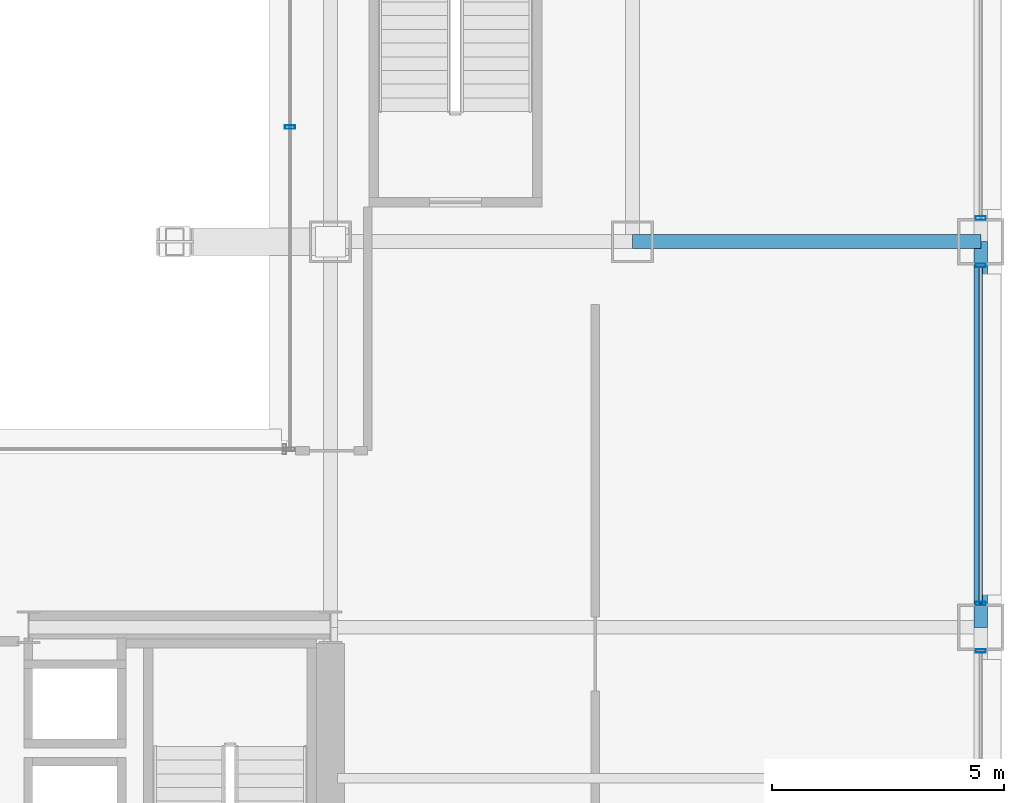
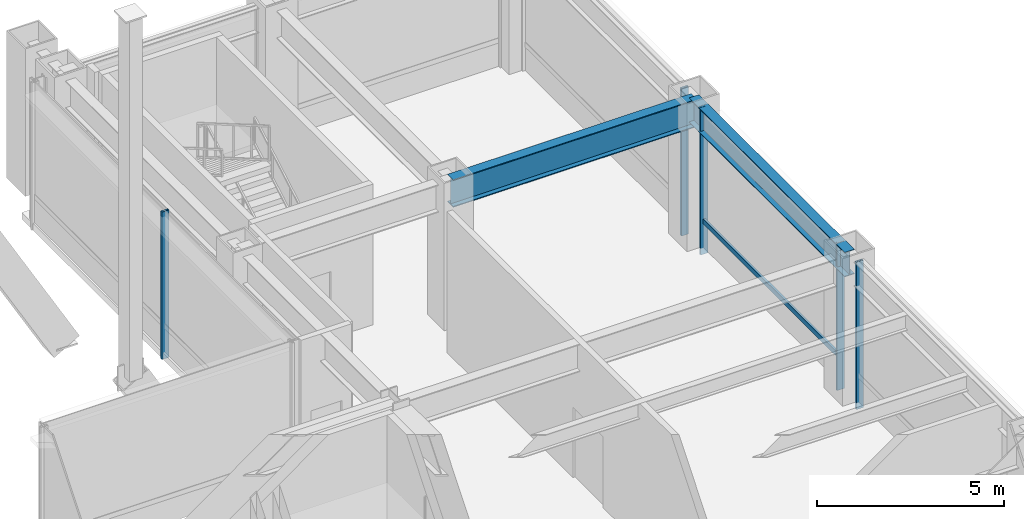
# One storey, part 23 of 40: 6 members, 2 beams, 4 elements without a shape of their own.
"""IFC4 building model written with IfcOpenShell, lengths in metres."""

from ifc_helpers import new_model, si_unit, direction, frame, origin, origin_2d, place, context, subcontext, project, spatial, hollow_rectangle, i_section, extrude, material, layer, layer_set, material_profile, profile_set, type_object, element, aggregate, save


model = new_model("IFC4")

# Units and contexts
model_context = context("Model", 3, precision=1e-05, world=origin(), true_north=direction((0.0, 1.0)))
body_context = subcontext(model_context, "Body", "Model", "MODEL_VIEW")
ifc_project = project(units=[si_unit("LENGTHUNIT", "METRE"), si_unit("AREAUNIT", "SQUARE_METRE"), si_unit("VOLUMEUNIT", "CUBIC_METRE"), si_unit("PLANEANGLEUNIT", "RADIAN"), si_unit("MASSUNIT", "GRAM", prefix="KILO")], contexts=[model_context])

# Site, building, storey
site_placement = place(None, origin())
site = spatial("IfcSite", under=ifc_project, at=site_placement, CompositionType="ELEMENT")
building_placement = place(site_placement, origin())
building = spatial("IfcBuilding", under=site, at=building_placement, Name="Brelmoor Portico Tower", CompositionType="ELEMENT")
storey_placement = place(building_placement, frame((0.0, 0.0, 4.800048828125)))
storey = spatial("IfcBuildingStorey", under=building, at=storey_placement, Name="L01", CompositionType="ELEMENT", Elevation=4.800048828125)

# Beams
ifc_material_1 = material(Name="Steel Q355B", Category="steel")
ifc_material_profile_1 = material_profile(ifc_material_1, i_section(OverallWidth=0.300048828125, OverallDepth=0.89990234375, WebThickness=0.01611328125, FlangeThickness=0.028076171875, at=origin_2d()), Name="HN 900x300x16x28")
ifc_profile_set_1 = profile_set([ifc_material_profile_1], Name="Steel Q355B")
beam_type_1 = type_object("IfcBeamType", Name="BM-PG-900", PredefinedType="BEAM", material=ifc_profile_set_1)
beam_1_placement = place(storey_placement, frame((21.050048828125, 18.050048828125, 4.1298828125), z_axis=(1.0, 0.0, 0.0), x_axis=(0.0, 1.0, 0.0)))
element("IfcBeam", 1, at=beam_1_placement, inside=storey, type_object=beam_type_1, Name="L01 Primary Floor Girder PG-40", PredefinedType="BEAM", context=body_context, shape_type="SweptSolid", body=[
    extrude(i_section(OverallWidth=0.300048828125, OverallDepth=0.89990234375, WebThickness=0.01611328125, FlangeThickness=0.028076171875, at=origin_2d()), origin(), (0.0, 0.0, 1.0), 7.5),
])
ifc_material_profile_2 = material_profile(ifc_material_1, i_section(OverallWidth=0.300048828125, OverallDepth=0.800048828125, WebThickness=0.013916015625, FlangeThickness=0.02587890625, at=origin_2d()), Name="HN 800x300x14x26")
ifc_profile_set_2 = profile_set([ifc_material_profile_2], Name="Steel Q355B")
beam_type_2 = type_object("IfcBeamType", Name="BM-SP-800", PredefinedType="SPANDREL", material=ifc_profile_set_2)
beam_2_placement = place(storey_placement, frame((28.550048828125, 9.75, 4.179931640625), z_axis=(0.0, 1.0, 0.0), x_axis=(-1.0, 0.0, 0.0)))
element("IfcBeam", 2, at=beam_2_placement, inside=storey, type_object=beam_type_2, Name="L01 Perimeter Spandrel Beam SP-19", PredefinedType="SPANDREL", context=body_context, shape_type="SweptSolid", body=[
    extrude(i_section(OverallWidth=0.300048828125, OverallDepth=0.800048828125, WebThickness=0.013916015625, FlangeThickness=0.02587890625, at=origin_2d()), origin(), (0.0, 0.0, 1.0), 8.300048828125),
])

# Curtain wall, member
ifc_material_2 = material(Name="Anodised Aluminium Alloy 6063-T6", Category="aluminium")
ifc_layer = layer(ifc_material_2, 0.179931640625)
ifc_layer_set = layer_set([ifc_layer], Name="Anodised Aluminium Alloy 6063-T6")
curtain_wall_type = type_object("IfcCurtainWallType", Name="CW-PODIUM-ARCH", PredefinedType="NOTDEFINED", material=ifc_layer_set)
curtain_wall_1_placement = place(storey_placement, origin())
curtain_wall_1 = element("IfcCurtainWall", 3, at=curtain_wall_1_placement, inside=storey, type_object=curtain_wall_type, Name="L01 Curtain Wall CW-L01-06-4", PredefinedType="NOTDEFINED")
ifc_material_profile_3 = material_profile(ifc_material_2, hollow_rectangle(XDim=0.074951171875, YDim=0.219970703125, WallThickness=0.0048828125, at=origin_2d()), Name="ALU MULLION 75x220")
ifc_profile_set_3 = profile_set([ifc_material_profile_3], Name="Anodised Aluminium Alloy 6063-T6")
member_type_1 = type_object("IfcMemberType", Name="MB-CW-MULL-220", PredefinedType="MULLION", material=ifc_profile_set_3)
member_1_placement = place(storey_placement, frame((28.550048828125, 9.239990234375, -0.219970703125), z_axis=(0.0, 0.0, 1.0), x_axis=(0.0, 1.0, 0.0)))
member_1 = element("IfcMember", 4, at=member_1_placement, type_object=member_type_1, Name="CW-L01-06-4 Mullion 01", PredefinedType="MULLION", context=body_context, shape_type="SweptSolid", body=[
    extrude(hollow_rectangle(XDim=0.074951171875, YDim=0.219970703125, WallThickness=0.0048828125, at=origin_2d()), origin(), (0.0, 0.0, 1.0), 4.7998046875),
])
aggregate(curtain_wall_1, [member_1])

# Curtain wall, members
curtain_wall_2_placement = place(storey_placement, origin())
curtain_wall_2 = element("IfcCurtainWall", 5, at=curtain_wall_2_placement, inside=storey, type_object=curtain_wall_type, Name="L01 Curtain Wall CW-L01-06-5", PredefinedType="NOTDEFINED")
member_2_placement = place(storey_placement, frame((28.550048828125, 10.260009765625, -0.219970703125), z_axis=(0.0, 0.0, 1.0), x_axis=(0.0, 1.0, 0.0)))
member_2 = element("IfcMember", 6, at=member_2_placement, type_object=member_type_1, Name="CW-L01-06-5 Mullion 00", PredefinedType="MULLION", context=body_context, shape_type="SweptSolid", body=[
    extrude(hollow_rectangle(XDim=0.074951171875, YDim=0.219970703125, WallThickness=0.0048828125, at=origin_2d()), origin(), (0.0, 0.0, 1.0), 4.7998046875),
])
member_3_placement = place(storey_placement, frame((28.550048828125, 17.5400390625, -0.219970703125), z_axis=(0.0, 0.0, 1.0), x_axis=(0.0, 1.0, 0.0)))
member_3 = element("IfcMember", 7, at=member_3_placement, type_object=member_type_1, Name="CW-L01-06-5 Mullion 01", PredefinedType="MULLION", context=body_context, shape_type="SweptSolid", body=[
    extrude(hollow_rectangle(XDim=0.074951171875, YDim=0.219970703125, WallThickness=0.0048828125, at=origin_2d()), origin(), (0.0, 0.0, 1.0), 4.7998046875),
])

# Curtain wall, member
curtain_wall_3_placement = place(storey_placement, origin())
curtain_wall_3 = element("IfcCurtainWall", 8, at=curtain_wall_3_placement, inside=storey, type_object=curtain_wall_type, Name="L01 Curtain Wall CW-L01-06-6", PredefinedType="NOTDEFINED")
member_4_placement = place(storey_placement, frame((28.550048828125, 18.56005859375, -0.219970703125), z_axis=(0.0, 0.0, 1.0), x_axis=(0.0, 1.0, 0.0)))
member_4 = element("IfcMember", 9, at=member_4_placement, type_object=member_type_1, Name="CW-L01-06-6 Mullion 00", PredefinedType="MULLION", context=body_context, shape_type="SweptSolid", body=[
    extrude(hollow_rectangle(XDim=0.074951171875, YDim=0.219970703125, WallThickness=0.0048828125, at=origin_2d()), origin(), (0.0, 0.0, 1.0), 4.7998046875),
])
aggregate(curtain_wall_3, [member_4])

curtain_wall_4_placement = place(storey_placement, origin())
curtain_wall_4 = element("IfcCurtainWall", 10, at=curtain_wall_4_placement, inside=storey, type_object=curtain_wall_type, Name="L01 Curtain Wall CW-L01-10", PredefinedType="NOTDEFINED")
member_5_placement = place(storey_placement, frame((13.679931640625, 20.514892578125, -0.219970703125), z_axis=(0.0, 0.0, 1.0), x_axis=(0.0, 1.0, 0.0)))
member_5 = element("IfcMember", 11, at=member_5_placement, type_object=member_type_1, Name="CW-L01-10 Mullion 01", PredefinedType="MULLION", context=body_context, shape_type="SweptSolid", body=[
    extrude(hollow_rectangle(XDim=0.074951171875, YDim=0.219970703125, WallThickness=0.0048828125, at=origin_2d()), origin(), (0.0, 0.0, 1.0), 4.7998046875),
])
aggregate(curtain_wall_4, [member_5])

# Member
ifc_material_profile_4 = material_profile(ifc_material_2, hollow_rectangle(XDim=0.070068359375, YDim=0.159912109375, WallThickness=0.00390625, at=origin_2d()), Name="ALU TRANSOM 70x160")
ifc_profile_set_4 = profile_set([ifc_material_profile_4], Name="Anodised Aluminium Alloy 6063-T6")
member_type_2 = type_object("IfcMemberType", Name="MB-CW-TRAN-160", PredefinedType="USERDEFINED", material=ifc_profile_set_4)
member_6_placement = place(storey_placement, frame((28.550048828125, 10.260009765625, 0.849853515625), z_axis=(0.0, 1.0, 0.0), x_axis=(-1.0, 0.0, 0.0)))
member_6 = element("IfcMember", 12, at=member_6_placement, type_object=member_type_2, Name="CW-L01-06-5 Transom 1-00", ObjectType="TRANSOM", PredefinedType="USERDEFINED", context=body_context, shape_type="SweptSolid", body=[
    extrude(hollow_rectangle(XDim=0.070068359375, YDim=0.159912109375, WallThickness=0.00390625, at=origin_2d()), origin(), (0.0, 0.0, 1.0), 7.280029296875),
])

aggregate(curtain_wall_2, [member_2, member_3, member_6])

save(model, "model.ifc")
